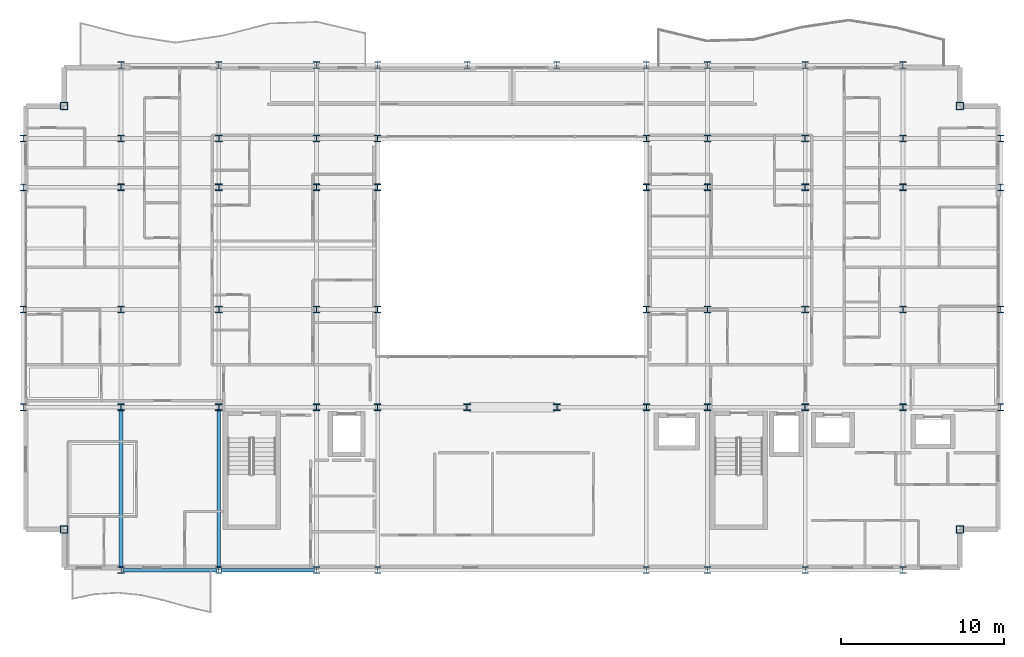
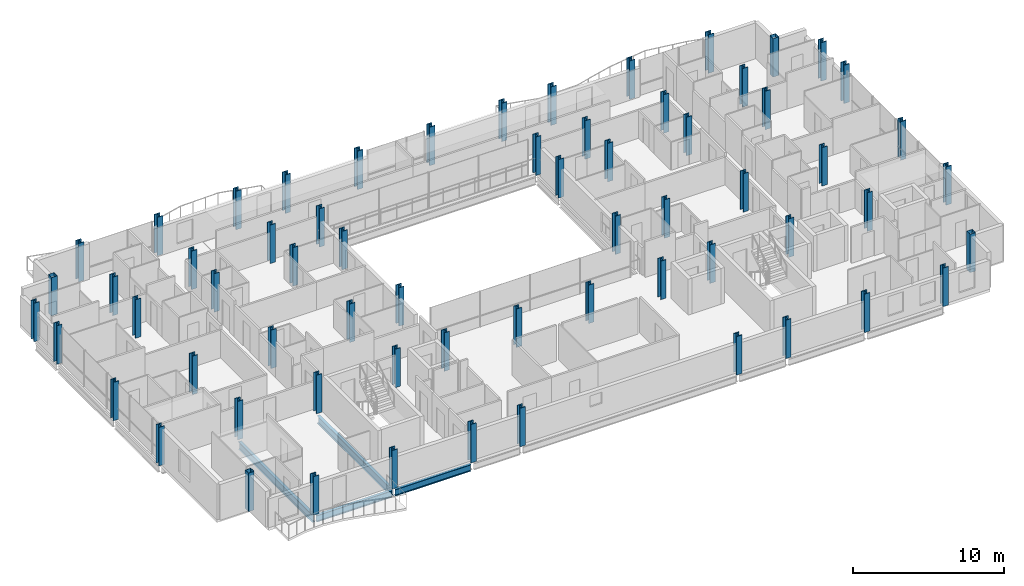
# One storey, part 1 of 41: 64 columns, 4 beams.
"""IFC4 building model written with IfcOpenShell, lengths in metres."""

from ifc_helpers import new_model, si_unit, direction, frame, origin, origin_2d, place, context, subcontext, project, spatial, hollow_rectangle, i_section, extrude, material, material_profile, profile_set, type_object, element, save


model = new_model("IFC4")

# Units and contexts
model_context = context("Model", 3, precision=1e-05, world=origin(), true_north=direction((0.0, 1.0)))
body_context = subcontext(model_context, "Body", "Model", "MODEL_VIEW")
ifc_project = project(units=[si_unit("LENGTHUNIT", "METRE"), si_unit("AREAUNIT", "SQUARE_METRE"), si_unit("VOLUMEUNIT", "CUBIC_METRE"), si_unit("PLANEANGLEUNIT", "RADIAN"), si_unit("MASSUNIT", "GRAM", prefix="KILO")], contexts=[model_context])

# Site, building, storey
site_placement = place(None, origin())
site = spatial("IfcSite", under=ifc_project, at=site_placement, CompositionType="ELEMENT")
building_placement = place(site_placement, origin())
building = spatial("IfcBuilding", under=site, at=building_placement, Name="Brevholm Reach", CompositionType="ELEMENT")
storey_placement = place(building_placement, frame((0.0, 0.0, 106.60009765625)))
storey = spatial("IfcBuildingStorey", under=building, at=storey_placement, Name="L31", CompositionType="ELEMENT", Elevation=106.60009765625)

# Columns
ifc_material_1 = material(Name="Structural Steel S460NH", Category="steel")
ifc_material_profile_1 = material_profile(ifc_material_1, hollow_rectangle(XDim=0.449951171875, YDim=0.449951171875, WallThickness=0.02490234375, InnerFilletRadius=0.011962890625, OuterFilletRadius=0.02392578125, at=origin_2d()), Name="SHS 450x450x25")
ifc_profile_set_1 = profile_set([ifc_material_profile_1], Name="Structural Steel S460NH")
column_type_1 = type_object("IfcColumnType", Name="COL-SHS1", PredefinedType="COLUMN", material=ifc_profile_set_1)
for number, where, z_axis, x_axis, name in (
    (1, (2.5, 2.5, 0.0), (0.0, 0.0, 1.0), (1.0, 0.0, 0.0), "L31 Column 05"),
    (2, (2.5, 28.5, 0.0), (0.0, 0.0, 1.0), (1.0, 0.0, 0.0), "L31 Column 06"),
    (3, (57.5, 2.5, 0.0), (0.0, 0.0, 1.0), (1.0, 0.0, 0.0), "L31 Column 59"),
    (4, (57.5, 28.5, 0.0), (0.0, 0.0, 1.0), (1.0, 0.0, 0.0), "L31 Column 60"),
):
    element("IfcColumn", number, at=place(storey_placement, frame(where, z_axis=z_axis, x_axis=x_axis)), inside=storey, type_object=column_type_1, Name=name, PredefinedType="COLUMN", context=body_context, shape_type="SweptSolid", body=[
        extrude(hollow_rectangle(XDim=0.449951171875, YDim=0.449951171875, WallThickness=0.02490234375, InnerFilletRadius=0.011962890625, OuterFilletRadius=0.02392578125, at=origin_2d()), origin(), (0.0, 0.0, 1.0), 3.099853515625),
    ])
ifc_material_2 = material(Name="Structural Steel S460ML", Category="steel")
ifc_material_profile_2 = material_profile(ifc_material_2, i_section(OverallWidth=0.412109375, OverallDepth=0.4365234375, WebThickness=0.035888671875, FlangeThickness=0.05810546875, FilletRadius=0.01513671875, at=origin_2d()), Name="UKC 356x406x467")
ifc_profile_set_2 = profile_set([ifc_material_profile_2], Name="Structural Steel S460ML")
column_type_2 = type_object("IfcColumnType", Name="COL-UC3", PredefinedType="COLUMN", material=ifc_profile_set_2)
for number, where, z_axis, x_axis, name in (
    (5, (0.0, 10.0, 0.0), (0.0, 0.0, 1.0), (1.0, 0.0, 0.0), "L31 Column 01"),
    (6, (0.0, 16.0, 0.0), (0.0, 0.0, 1.0), (1.0, 0.0, 0.0), "L31 Column 02"),
    (7, (0.0, 23.5, 0.0), (0.0, 0.0, 1.0), (1.0, 0.0, 0.0), "L31 Column 03"),
    (8, (0.0, 26.5, 0.0), (0.0, 0.0, 1.0), (1.0, 0.0, 0.0), "L31 Column 04"),
    (9, (6.0, 0.0, 0.0), (0.0, 0.0, 1.0), (1.0, 0.0, 0.0), "L31 Column 07"),
    (10, (6.0, 31.0, 0.0), (0.0, 0.0, 1.0), (1.0, 0.0, 0.0), "L31 Column 12"),
    (11, (12.0, 0.0, 0.0), (0.0, 0.0, 1.0), (1.0, 0.0, 0.0), "L31 Column 13"),
    (12, (12.0, 31.0, 0.0), (0.0, 0.0, 1.0), (1.0, 0.0, 0.0), "L31 Column 18"),
    (13, (18.0, 0.0, 0.0), (0.0, 0.0, 1.0), (1.0, 0.0, 0.0), "L31 Column 19"),
    (14, (18.0, 31.0, 0.0), (0.0, 0.0, 1.0), (1.0, 0.0, 0.0), "L31 Column 24"),
    (15, (21.75, 0.0, 0.0), (0.0, 0.0, 1.0), (1.0, 0.0, 0.0), "L31 Column 25"),
    (16, (21.75, 31.0, 0.0), (0.0, 0.0, 1.0), (1.0, 0.0, 0.0), "L31 Column 30"),
    (17, (27.25, 31.0, 0.0), (0.0, 0.0, 1.0), (1.0, 0.0, 0.0), "L31 Column 32"),
    (18, (32.75, 31.0, 0.0), (0.0, 0.0, 1.0), (1.0, 0.0, 0.0), "L31 Column 34"),
    (19, (38.25, 0.0, 0.0), (0.0, 0.0, 1.0), (1.0, 0.0, 0.0), "L31 Column 35"),
    (20, (38.25, 31.0, 0.0), (0.0, 0.0, 1.0), (1.0, 0.0, 0.0), "L31 Column 40"),
    (21, (42.0, 0.0, 0.0), (0.0, 0.0, 1.0), (1.0, 0.0, 0.0), "L31 Column 41"),
    (22, (42.0, 31.0, 0.0), (0.0, 0.0, 1.0), (1.0, 0.0, 0.0), "L31 Column 46"),
    (23, (48.0, 0.0, 0.0), (0.0, 0.0, 1.0), (1.0, 0.0, 0.0), "L31 Column 47"),
    (24, (48.0, 31.0, 0.0), (0.0, 0.0, 1.0), (1.0, 0.0, 0.0), "L31 Column 52"),
    (25, (54.0, 0.0, 0.0), (0.0, 0.0, 1.0), (1.0, 0.0, 0.0), "L31 Column 53"),
    (26, (54.0, 31.0, 0.0), (0.0, 0.0, 1.0), (1.0, 0.0, 0.0), "L31 Column 58"),
    (27, (60.0, 10.0, 0.0), (0.0, 0.0, 1.0), (1.0, 0.0, 0.0), "L31 Column 61"),
    (28, (60.0, 16.0, 0.0), (0.0, 0.0, 1.0), (1.0, 0.0, 0.0), "L31 Column 62"),
    (29, (60.0, 23.5, 0.0), (0.0, 0.0, 1.0), (1.0, 0.0, 0.0), "L31 Column 63"),
    (30, (60.0, 26.5, 0.0), (0.0, 0.0, 1.0), (1.0, 0.0, 0.0), "L31 Column 64"),
):
    element("IfcColumn", number, at=place(storey_placement, frame(where, z_axis=z_axis, x_axis=x_axis)), inside=storey, type_object=column_type_2, Name=name, PredefinedType="COLUMN", context=body_context, shape_type="SweptSolid", body=[
        extrude(i_section(OverallWidth=0.412109375, OverallDepth=0.4365234375, WebThickness=0.035888671875, FlangeThickness=0.05810546875, FilletRadius=0.01513671875, at=origin_2d()), origin(), (0.0, 0.0, 1.0), 3.099853515625),
    ])
ifc_material_3 = material(Name="Structural Steel S355J2", Category="steel")
ifc_material_profile_3 = material_profile(ifc_material_3, i_section(OverallWidth=0.406982421875, OverallDepth=0.4189453125, WebThickness=0.030517578125, FlangeThickness=0.04931640625, FilletRadius=0.01513671875, at=origin_2d()), Name="UKC 356x406x393")
ifc_profile_set_3 = profile_set([ifc_material_profile_3], Name="Structural Steel S355J2")
column_type_3 = type_object("IfcColumnType", Name="COL-UC4", PredefinedType="COLUMN", material=ifc_profile_set_3)
for number, where, z_axis, x_axis, name in (
    (31, (6.0, 10.0, 0.0), (0.0, 0.0, 1.0), (1.0, 0.0, 0.0), "L31 Column 08"),
    (32, (6.0, 16.0, 0.0), (0.0, 0.0, 1.0), (1.0, 0.0, 0.0), "L31 Column 09"),
    (33, (6.0, 23.5, 0.0), (0.0, 0.0, 1.0), (1.0, 0.0, 0.0), "L31 Column 10"),
    (34, (6.0, 26.5, 0.0), (0.0, 0.0, 1.0), (1.0, 0.0, 0.0), "L31 Column 11"),
    (35, (12.0, 10.0, 0.0), (0.0, 0.0, 1.0), (1.0, 0.0, 0.0), "L31 Column 14"),
    (36, (12.0, 16.0, 0.0), (0.0, 0.0, 1.0), (1.0, 0.0, 0.0), "L31 Column 15"),
    (37, (12.0, 23.5, 0.0), (0.0, 0.0, 1.0), (1.0, 0.0, 0.0), "L31 Column 16"),
    (38, (12.0, 26.5, 0.0), (0.0, 0.0, 1.0), (1.0, 0.0, 0.0), "L31 Column 17"),
    (39, (18.0, 10.0, 0.0), (0.0, 0.0, 1.0), (1.0, 0.0, 0.0), "L31 Column 20"),
    (40, (18.0, 16.0, 0.0), (0.0, 0.0, 1.0), (1.0, 0.0, 0.0), "L31 Column 21"),
    (41, (18.0, 23.5, 0.0), (0.0, 0.0, 1.0), (1.0, 0.0, 0.0), "L31 Column 22"),
    (42, (18.0, 26.5, 0.0), (0.0, 0.0, 1.0), (1.0, 0.0, 0.0), "L31 Column 23"),
    (43, (21.75, 10.0, 0.0), (0.0, 0.0, 1.0), (1.0, 0.0, 0.0), "L31 Column 26"),
    (44, (21.75, 16.0, 0.0), (0.0, 0.0, 1.0), (1.0, 0.0, 0.0), "L31 Column 27"),
    (45, (21.75, 23.5, 0.0), (0.0, 0.0, 1.0), (1.0, 0.0, 0.0), "L31 Column 28"),
    (46, (21.75, 26.5, 0.0), (0.0, 0.0, 1.0), (1.0, 0.0, 0.0), "L31 Column 29"),
    (47, (27.25, 10.0, 0.0), (0.0, 0.0, 1.0), (1.0, 0.0, 0.0), "L31 Column 31"),
    (48, (32.75, 10.0, 0.0), (0.0, 0.0, 1.0), (1.0, 0.0, 0.0), "L31 Column 33"),
    (49, (38.25, 10.0, 0.0), (0.0, 0.0, 1.0), (1.0, 0.0, 0.0), "L31 Column 36"),
    (50, (38.25, 16.0, 0.0), (0.0, 0.0, 1.0), (1.0, 0.0, 0.0), "L31 Column 37"),
    (51, (38.25, 23.5, 0.0), (0.0, 0.0, 1.0), (1.0, 0.0, 0.0), "L31 Column 38"),
    (52, (38.25, 26.5, 0.0), (0.0, 0.0, 1.0), (1.0, 0.0, 0.0), "L31 Column 39"),
    (53, (42.0, 10.0, 0.0), (0.0, 0.0, 1.0), (1.0, 0.0, 0.0), "L31 Column 42"),
    (54, (42.0, 16.0, 0.0), (0.0, 0.0, 1.0), (1.0, 0.0, 0.0), "L31 Column 43"),
    (55, (42.0, 23.5, 0.0), (0.0, 0.0, 1.0), (1.0, 0.0, 0.0), "L31 Column 44"),
    (56, (42.0, 26.5, 0.0), (0.0, 0.0, 1.0), (1.0, 0.0, 0.0), "L31 Column 45"),
    (57, (48.0, 10.0, 0.0), (0.0, 0.0, 1.0), (1.0, 0.0, 0.0), "L31 Column 48"),
    (58, (48.0, 16.0, 0.0), (0.0, 0.0, 1.0), (1.0, 0.0, 0.0), "L31 Column 49"),
    (59, (48.0, 23.5, 0.0), (0.0, 0.0, 1.0), (1.0, 0.0, 0.0), "L31 Column 50"),
    (60, (48.0, 26.5, 0.0), (0.0, 0.0, 1.0), (1.0, 0.0, 0.0), "L31 Column 51"),
    (61, (54.0, 10.0, 0.0), (0.0, 0.0, 1.0), (1.0, 0.0, 0.0), "L31 Column 54"),
    (62, (54.0, 16.0, 0.0), (0.0, 0.0, 1.0), (1.0, 0.0, 0.0), "L31 Column 55"),
    (63, (54.0, 23.5, 0.0), (0.0, 0.0, 1.0), (1.0, 0.0, 0.0), "L31 Column 56"),
    (64, (54.0, 26.5, 0.0), (0.0, 0.0, 1.0), (1.0, 0.0, 0.0), "L31 Column 57"),
):
    element("IfcColumn", number, at=place(storey_placement, frame(where, z_axis=z_axis, x_axis=x_axis)), inside=storey, type_object=column_type_3, Name=name, PredefinedType="COLUMN", context=body_context, shape_type="SweptSolid", body=[
        extrude(i_section(OverallWidth=0.406982421875, OverallDepth=0.4189453125, WebThickness=0.030517578125, FlangeThickness=0.04931640625, FilletRadius=0.01513671875, at=origin_2d()), origin(), (0.0, 0.0, 1.0), 3.099853515625),
    ])

# Beams
ifc_material_4 = material(Name="Structural Steel S355J2", Category="steel")
ifc_material_profile_4 = material_profile(ifc_material_4, i_section(OverallWidth=0.209228515625, OverallDepth=0.533203125, WebThickness=0.010009765625, FlangeThickness=0.015625, FilletRadius=0.0126953125, at=origin_2d()), Name="UKB 533x210x92")
ifc_profile_set_4 = profile_set([ifc_material_profile_4], Name="Structural Steel S355J2")
beam_type_1 = type_object("IfcBeamType", Name="BM-SP533", PredefinedType="SPANDREL", material=ifc_profile_set_4)
for number, where, z_axis, x_axis, name in (
    (65, (6.1201171875, 0.0, -0.486572265625), (1.0, 0.0, 0.0), (0.0, 1.0, 0.0), "L31 SP-02 Framing Beam"),
    (66, (12.1201171875, 0.0, -0.486572265625), (1.0, 0.0, 0.0), (0.0, 1.0, 0.0), "L31 SP-02 Framing Beam"),
):
    element("IfcBeam", number, at=place(storey_placement, frame(where, z_axis=z_axis, x_axis=x_axis)), inside=storey, type_object=beam_type_1, Name=name, PredefinedType="SPANDREL", context=body_context, shape_type="SweptSolid", body=[
        extrude(i_section(OverallWidth=0.209228515625, OverallDepth=0.533203125, WebThickness=0.010009765625, FlangeThickness=0.015625, FilletRadius=0.0126953125, at=origin_2d()), origin(), (0.0, 0.0, 1.0), 5.759765625),
    ])
ifc_material_5 = material(Name="Structural Steel S355J2", Category="steel")
ifc_material_profile_5 = material_profile(ifc_material_5, i_section(OverallWidth=0.22900390625, OverallDepth=0.6123046875, WebThickness=0.011962890625, FlangeThickness=0.01953125, FilletRadius=0.0126953125, at=origin_2d()), Name="UKB 610x229x125")
ifc_profile_set_5 = profile_set([ifc_material_profile_5], Name="Structural Steel S355J2")
beam_type_2 = type_object("IfcBeamType", Name="BM-SP610", PredefinedType="SPANDREL", material=ifc_profile_set_5)
for number, where, z_axis, x_axis, name in (
    (67, (6.0, 0.1201171875, -0.526123046875), (0.0, 1.0, 0.0), (-1.0, 0.0, 0.0), "L31 SP-01 Framing Beam"),
    (68, (12.0, 0.1201171875, -0.526123046875), (0.0, 1.0, 0.0), (-1.0, 0.0, 0.0), "L31 SP-01 Framing Beam"),
):
    element("IfcBeam", number, at=place(storey_placement, frame(where, z_axis=z_axis, x_axis=x_axis)), inside=storey, type_object=beam_type_2, Name=name, PredefinedType="SPANDREL", context=body_context, shape_type="SweptSolid", body=[
        extrude(i_section(OverallWidth=0.22900390625, OverallDepth=0.6123046875, WebThickness=0.011962890625, FlangeThickness=0.01953125, FilletRadius=0.0126953125, at=origin_2d()), origin(), (0.0, 0.0, 1.0), 9.759765625),
    ])

save(model, "model.ifc")
